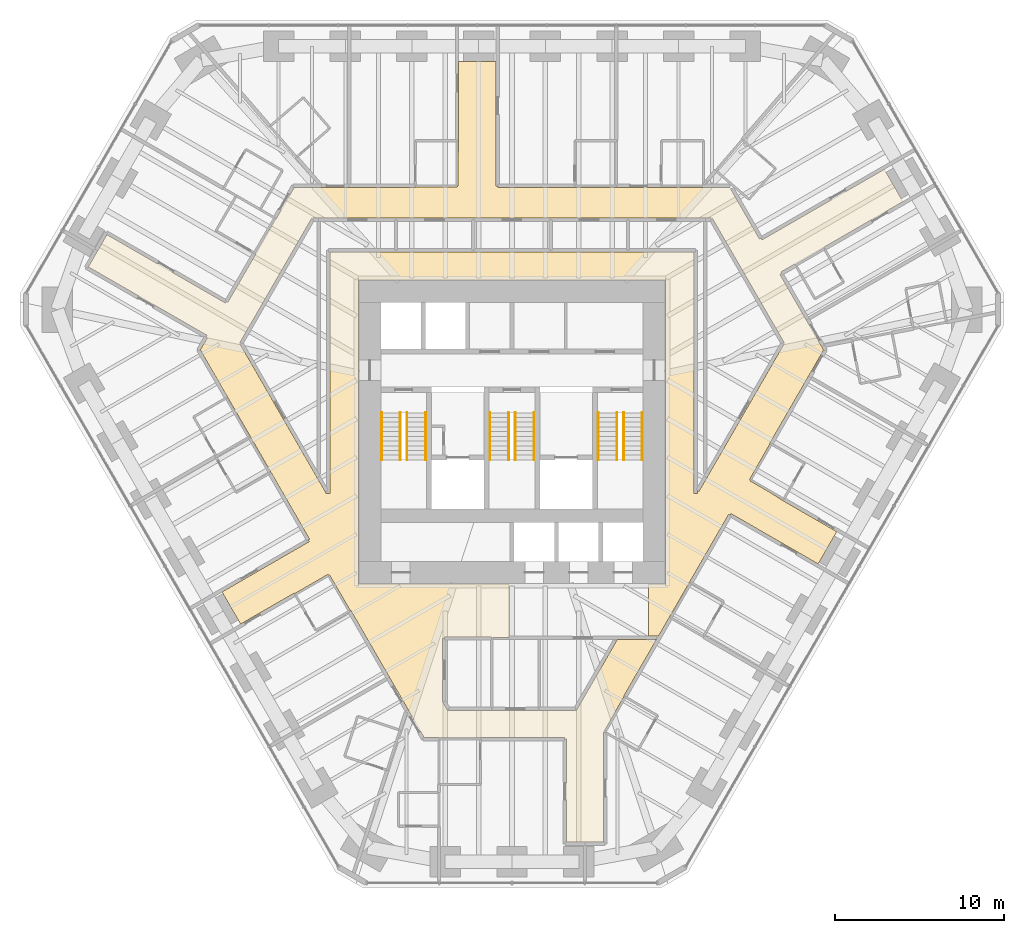
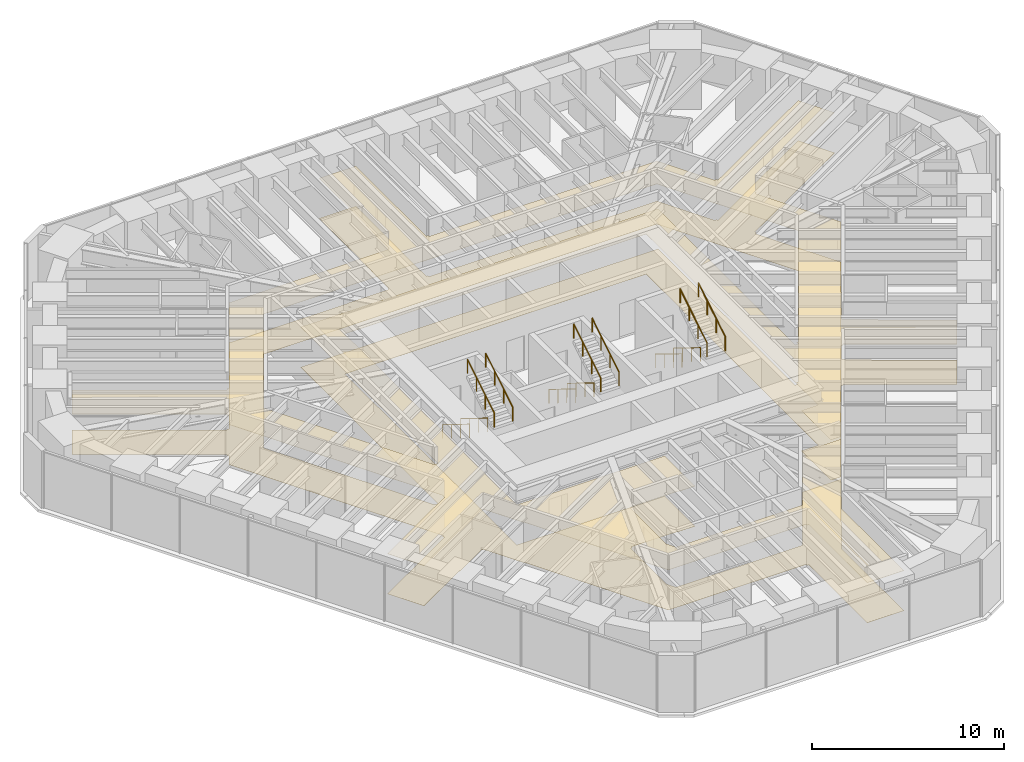
# One storey, part 17 of 17: 12 railings, 2 coverings.
"""IFC4 building model written with IfcOpenShell, lengths in metres."""

from ifc_helpers import new_model, si_unit, direction, frame, origin, origin_2d, place, context, subcontext, project, spatial, polyline, circle, outline, extrude, material, layer, layer_set, type_object, element, save


model = new_model("IFC4")

# Units and contexts
model_context = context("Model", 3, precision=1e-05, world=origin(), true_north=direction((0.0, 1.0)))
body_context = subcontext(model_context, "Body", "Model", "MODEL_VIEW")
ifc_project = project(units=[si_unit("LENGTHUNIT", "METRE"), si_unit("AREAUNIT", "SQUARE_METRE"), si_unit("VOLUMEUNIT", "CUBIC_METRE"), si_unit("PLANEANGLEUNIT", "RADIAN"), si_unit("MASSUNIT", "GRAM", prefix="KILO")], contexts=[model_context])

# Site, building, storey
site_placement = place(None, origin())
site = spatial("IfcSite", under=ifc_project, at=site_placement, CompositionType="ELEMENT")
building_placement = place(site_placement, origin())
building = spatial("IfcBuilding", under=site, at=building_placement, Name="Sandreach Pilgrim Tower", CompositionType="ELEMENT")
storey_placement = place(building_placement, frame((0.0, 0.0, 119.60009765625)))
storey = spatial("IfcBuildingStorey", under=building, at=storey_placement, Name="L29", CompositionType="ELEMENT", Elevation=119.60009765625)

# Coverings
ifc_material_1 = material(Name="Nylon carpet tile on the slab", Category="textile")
ifc_layer_1 = layer(ifc_material_1, 0.008056640625)
ifc_layer_set_1 = layer_set([ifc_layer_1], Name="Carpet tile")
covering_type_1 = type_object("IfcCoveringType", Name="Carpet tile", PredefinedType="FLOORING", material=ifc_layer_set_1)
covering_1_placement = place(storey_placement, origin())
element("IfcCovering", 1, at=covering_1_placement, inside=storey, type_object=covering_type_1, Name="Floor finish 29C Corridor 29", PredefinedType="FLOORING", context=body_context, shape_type="SweptSolid", body=[
    extrude(outline(polyline([(-16.929931640625, 6.073486328125), (-16.869873046875, 6.165771484375), (-16.788330078125, 6.11865234375), (-12.872314453125, 12.889892578125), (-5.699951171875, 12.889892578125), (-5.699951171875, 12.919921875), (-3.25, 12.929931640625), (-3.247802734375, 12.989990234375), (-3.18994140625, 12.989990234375), (-3.18994140625, 14.568115234375), (-3.14990234375, 15.659912109375), (-3.14990234375, 20.333740234375), (-0.949951171875, 20.333740234375), (-0.949951171875, 12.989990234375), (-0.840087890625, 12.989990234375), (-0.840087890625, 12.889892578125), (12.872314453125, 12.889892578125), (14.6259765625, 9.85302734375), (14.711669921875, 9.902587890625), (14.77001953125, 9.803466796875), (21.993408203125, 13.970703125), (23.0947265625, 12.063232421875), (15.8837890625, 7.904541015625), (15.93310546875, 7.8173828125), (15.833251953125, 7.760009765625), (18.412109375, 3.295654296875), (15.2333984375, -2.2099609375), (15.255126953125, -2.22265625), (14.0380859375, -4.349853515625), (14.0888671875, -4.382080078125), (14.06005859375, -4.431884765625), (15.220703125, -5.1015625), (16.00732421875, -5.6015625), (19.1865234375, -7.435791015625), (18.085693359375, -9.342041015625), (12.93994140625, -6.373291015625), (12.885009765625, -6.46875), (12.79833984375, -6.418701171875), (8.65576171875, -13.60009765625), (8.050048828125, -13.60009765625), (8.050048828125, -10.52001953125), (9.070068359375, -10.52001953125), (9.070068359375, 7.419921875), (-9.070068359375, 7.419921875), (-9.070068359375, -10.52001953125), (-0.175048828125, -10.52001953125), (-0.175048828125, -13.68994140625), (-1.199951171875, -13.67919921875), (-1.199951171875, -13.64990234375), (-3.989990234375, -13.64990234375), (-3.989990234375, -13.75), (-4.10009765625, -13.75), (-4.10009765625, -17.487060546875), (-3.8076171875, -17.989990234375), (3.8076171875, -17.989990234375), (6.2265625, -13.800048828125), (8.540283203125, -13.800048828125), (6.603515625, -17.14990234375), (6.62353515625, -17.16162109375), (5.409912109375, -19.2900390625), (5.409912109375, -25.780029296875), (3.2099609375, -25.780029296875), (3.2099609375, -19.68994140625), (3.10009765625, -19.68994140625), (3.10009765625, -19.590087890625), (-5.1923828125, -19.590087890625), (-9.5234375, -12.090087890625), (-9.55029296875, -12.10546875), (-10.7880859375, -9.97998046875), (-10.840576171875, -10.009033203125), (-10.8701171875, -9.9580078125), (-12.840087890625, -11.09814453125), (-12.85986328125, -11.0634765625), (-16.033935546875, -12.89599609375), (-17.130615234375, -10.99658203125), (-11.989990234375, -8.026611328125), (-12.045166015625, -7.92578125), (-11.960693359375, -7.877197265625), (-18.41455078125, 3.30029296875), (-18.0009765625, 4.01708984375), (-18.083251953125, 4.064453125), (-18.030029296875, 4.166748046875), (-25.033447265625, 8.20654296875), (-23.933349609375, 10.113525390625), (-16.929931640625, 6.073486328125)]), holes=[polyline([(-16.095458984375, 3.699951171875), (-10.965576171875, -5.18994140625), (-10.85009765625, -5.19482421875), (-10.75, -5.18994140625), (-10.75, 9.10009765625), (10.75, 9.10009765625), (10.75, -5.18994140625), (10.949951171875, -5.18994140625), (10.949951171875, -4.99365234375), (11.047119140625, -5.050048828125), (16.095458984375, 3.699951171875), (11.82763671875, 11.090087890625), (-11.82763671875, 11.090087890625), (-16.095458984375, 3.699951171875)])]), origin(), (0.0, 0.0, 1.0), 0.0078125),
])
ifc_material_2 = material(Name="Gypsum board suspended ceiling on a steel grid", Category="steel")
ifc_layer_2 = layer(ifc_material_2, 0.012939453125)
ifc_layer_set_2 = layer_set([ifc_layer_2], Name="Gypsum board suspended ceiling")
covering_type_2 = type_object("IfcCoveringType", Name="Gypsum board suspended ceiling", PredefinedType="CEILING", material=ifc_layer_set_2)
covering_2_placement = place(storey_placement, frame((0.0, 0.0, 2.5498046875)))
element("IfcCovering", 2, at=covering_2_placement, inside=storey, type_object=covering_type_2, Name="Ceiling 29C Corridor 29", PredefinedType="CEILING", context=body_context, shape_type="SweptSolid", body=[
    extrude(outline(polyline([(-16.929931640625, 6.073486328125), (-16.869873046875, 6.165771484375), (-16.788330078125, 6.11865234375), (-12.872314453125, 12.889892578125), (-5.699951171875, 12.889892578125), (-5.699951171875, 12.919921875), (-3.25, 12.929931640625), (-3.247802734375, 12.989990234375), (-3.18994140625, 12.989990234375), (-3.18994140625, 14.568115234375), (-3.14990234375, 15.659912109375), (-3.14990234375, 20.333740234375), (-0.949951171875, 20.333740234375), (-0.949951171875, 12.989990234375), (-0.840087890625, 12.989990234375), (-0.840087890625, 12.889892578125), (12.872314453125, 12.889892578125), (14.6259765625, 9.85302734375), (14.711669921875, 9.902587890625), (14.77001953125, 9.803466796875), (21.993408203125, 13.970703125), (23.0947265625, 12.063232421875), (15.8837890625, 7.904541015625), (15.93310546875, 7.8173828125), (15.833251953125, 7.760009765625), (18.412109375, 3.295654296875), (15.2333984375, -2.2099609375), (15.255126953125, -2.22265625), (14.0380859375, -4.349853515625), (14.0888671875, -4.382080078125), (14.06005859375, -4.431884765625), (15.220703125, -5.1015625), (16.00732421875, -5.6015625), (19.1865234375, -7.435791015625), (18.085693359375, -9.342041015625), (12.93994140625, -6.373291015625), (12.885009765625, -6.46875), (12.79833984375, -6.418701171875), (8.65576171875, -13.60009765625), (8.050048828125, -13.60009765625), (8.050048828125, -10.52001953125), (9.070068359375, -10.52001953125), (9.070068359375, 7.419921875), (-9.070068359375, 7.419921875), (-9.070068359375, -10.52001953125), (-0.175048828125, -10.52001953125), (-0.175048828125, -13.68994140625), (-1.199951171875, -13.67919921875), (-1.199951171875, -13.64990234375), (-3.989990234375, -13.64990234375), (-3.989990234375, -13.75), (-4.10009765625, -13.75), (-4.10009765625, -17.487060546875), (-3.8076171875, -17.989990234375), (3.8076171875, -17.989990234375), (6.2265625, -13.800048828125), (8.540283203125, -13.800048828125), (6.603515625, -17.14990234375), (6.62353515625, -17.16162109375), (5.409912109375, -19.2900390625), (5.409912109375, -25.780029296875), (3.2099609375, -25.780029296875), (3.2099609375, -19.68994140625), (3.10009765625, -19.68994140625), (3.10009765625, -19.590087890625), (-5.1923828125, -19.590087890625), (-9.5234375, -12.090087890625), (-9.55029296875, -12.10546875), (-10.7880859375, -9.97998046875), (-10.840576171875, -10.009033203125), (-10.8701171875, -9.9580078125), (-12.840087890625, -11.09814453125), (-12.85986328125, -11.0634765625), (-16.033935546875, -12.89599609375), (-17.130615234375, -10.99658203125), (-11.989990234375, -8.026611328125), (-12.045166015625, -7.92578125), (-11.960693359375, -7.877197265625), (-18.41455078125, 3.30029296875), (-18.0009765625, 4.01708984375), (-18.083251953125, 4.064453125), (-18.030029296875, 4.166748046875), (-25.033447265625, 8.20654296875), (-23.933349609375, 10.113525390625), (-16.929931640625, 6.073486328125)]), holes=[polyline([(-16.095458984375, 3.699951171875), (-10.965576171875, -5.18994140625), (-10.85009765625, -5.19482421875), (-10.75, -5.18994140625), (-10.75, 9.10009765625), (10.75, 9.10009765625), (10.75, -5.18994140625), (10.949951171875, -5.18994140625), (10.949951171875, -4.99365234375), (11.047119140625, -5.050048828125), (16.095458984375, 3.699951171875), (11.82763671875, 11.090087890625), (-11.82763671875, 11.090087890625), (-16.095458984375, 3.699951171875)])]), origin(), (0.0, 0.0, 1.0), 0.01318359375),
])

# Railings
ifc_material_3 = material(Name="Stainless steel tube", Category="steel")
railing_type = type_object("IfcRailingType", Name="Stair handrail", PredefinedType="HANDRAIL", material=ifc_material_3)
for number, where, name in (
    (3, (-6.60009765625, -0.39990234375, 0.172607421875), "Handrail ST1 L29 flight 1"),
    (4, (-7.699951171875, -0.39990234375, 0.172607421875), "Handrail ST1 L29 flight 1"),
):
    element("IfcRailing", number, at=place(storey_placement, frame(where)), inside=storey, type_object=railing_type, Name=name, PredefinedType="HANDRAIL", context=body_context, shape_type="SweptSolid", body=[
        extrude(circle(Radius=0.02392578125, at=origin_2d()), frame((0.0, 0.0, 0.8759765625), z_axis=(0.0, -0.851089632645, 0.525020415988), x_axis=(1.0, 0.0, 0.0)), (0.0, 0.0, 1.0), 3.2900390625),
        extrude(circle(Radius=0.02099609375, at=origin_2d()), origin(), (0.0, 0.0, 1.0), 0.851806640625),
        extrude(circle(Radius=0.02099609375, at=origin_2d()), frame((0.0, -0.933349609375, 0.57568359375)), (0.0, 0.0, 1.0), 0.851806640625),
        extrude(circle(Radius=0.02099609375, at=origin_2d()), frame((0.0, -1.86669921875, 1.151611328125)), (0.0, 0.0, 1.0), 0.851806640625),
        extrude(circle(Radius=0.02099609375, at=origin_2d()), frame((0.0, -2.800048828125, 1.727294921875)), (0.0, 0.0, 1.0), 0.851806640625),
    ])
for number, where, name in (
    (5, (-6.199951171875, -3.199951171875, 2.072509765625), "Handrail ST1 L29 flight 2"),
    (6, (-5.10009765625, -3.199951171875, 2.072509765625), "Handrail ST1 L29 flight 2"),
):
    element("IfcRailing", number, at=place(storey_placement, frame(where)), inside=storey, type_object=railing_type, Name=name, PredefinedType="HANDRAIL", context=body_context, shape_type="SweptSolid", body=[
        extrude(circle(Radius=0.02392578125, at=origin_2d()), frame((0.0, 0.0, 0.8759765625), z_axis=(0.0, 0.851089632645, 0.525020415988), x_axis=(-1.0, 0.0, 0.0)), (0.0, 0.0, 1.0), 3.2900390625),
        extrude(circle(Radius=0.02099609375, at=origin_2d()), origin(), (0.0, 0.0, 1.0), 0.851806640625),
        extrude(circle(Radius=0.02099609375, at=origin_2d()), frame((0.0, 0.933349609375, 0.57568359375)), (0.0, 0.0, 1.0), 0.851806640625),
        extrude(circle(Radius=0.02099609375, at=origin_2d()), frame((0.0, 1.86669921875, 1.151611328125)), (0.0, 0.0, 1.0), 0.851806640625),
        extrude(circle(Radius=0.02099609375, at=origin_2d()), frame((0.0, 2.800048828125, 1.727294921875)), (0.0, 0.0, 1.0), 0.851806640625),
    ])
for number, where, name in (
    (7, (-0.199951171875, -0.39990234375, 0.172607421875), "Handrail ST3 L29 flight 1"),
    (8, (-1.300048828125, -0.39990234375, 0.172607421875), "Handrail ST3 L29 flight 1"),
):
    element("IfcRailing", number, at=place(storey_placement, frame(where)), inside=storey, type_object=railing_type, Name=name, PredefinedType="HANDRAIL", context=body_context, shape_type="SweptSolid", body=[
        extrude(circle(Radius=0.02392578125, at=origin_2d()), frame((0.0, 0.0, 0.8759765625), z_axis=(0.0, -0.851089632645, 0.525020415988), x_axis=(1.0, 0.0, 0.0)), (0.0, 0.0, 1.0), 3.2900390625),
        extrude(circle(Radius=0.02099609375, at=origin_2d()), origin(), (0.0, 0.0, 1.0), 0.851806640625),
        extrude(circle(Radius=0.02099609375, at=origin_2d()), frame((0.0, -0.933349609375, 0.57568359375)), (0.0, 0.0, 1.0), 0.851806640625),
        extrude(circle(Radius=0.02099609375, at=origin_2d()), frame((0.0, -1.86669921875, 1.151611328125)), (0.0, 0.0, 1.0), 0.851806640625),
        extrude(circle(Radius=0.02099609375, at=origin_2d()), frame((0.0, -2.800048828125, 1.727294921875)), (0.0, 0.0, 1.0), 0.851806640625),
    ])
for number, where, name in (
    (9, (0.199951171875, -3.199951171875, 2.072509765625), "Handrail ST3 L29 flight 2"),
    (10, (1.300048828125, -3.199951171875, 2.072509765625), "Handrail ST3 L29 flight 2"),
):
    element("IfcRailing", number, at=place(storey_placement, frame(where)), inside=storey, type_object=railing_type, Name=name, PredefinedType="HANDRAIL", context=body_context, shape_type="SweptSolid", body=[
        extrude(circle(Radius=0.02392578125, at=origin_2d()), frame((0.0, 0.0, 0.8759765625), z_axis=(0.0, 0.851089632645, 0.525020415988), x_axis=(-1.0, 0.0, 0.0)), (0.0, 0.0, 1.0), 3.2900390625),
        extrude(circle(Radius=0.02099609375, at=origin_2d()), origin(), (0.0, 0.0, 1.0), 0.851806640625),
        extrude(circle(Radius=0.02099609375, at=origin_2d()), frame((0.0, 0.933349609375, 0.57568359375)), (0.0, 0.0, 1.0), 0.851806640625),
        extrude(circle(Radius=0.02099609375, at=origin_2d()), frame((0.0, 1.86669921875, 1.151611328125)), (0.0, 0.0, 1.0), 0.851806640625),
        extrude(circle(Radius=0.02099609375, at=origin_2d()), frame((0.0, 2.800048828125, 1.727294921875)), (0.0, 0.0, 1.0), 0.851806640625),
    ])
for number, where, name in (
    (11, (6.199951171875, -0.39990234375, 0.172607421875), "Handrail ST2 L29 flight 1"),
    (12, (5.10009765625, -0.39990234375, 0.172607421875), "Handrail ST2 L29 flight 1"),
):
    element("IfcRailing", number, at=place(storey_placement, frame(where)), inside=storey, type_object=railing_type, Name=name, PredefinedType="HANDRAIL", context=body_context, shape_type="SweptSolid", body=[
        extrude(circle(Radius=0.02392578125, at=origin_2d()), frame((0.0, 0.0, 0.8759765625), z_axis=(0.0, -0.851089632645, 0.525020415988), x_axis=(1.0, 0.0, 0.0)), (0.0, 0.0, 1.0), 3.2900390625),
        extrude(circle(Radius=0.02099609375, at=origin_2d()), origin(), (0.0, 0.0, 1.0), 0.851806640625),
        extrude(circle(Radius=0.02099609375, at=origin_2d()), frame((0.0, -0.933349609375, 0.57568359375)), (0.0, 0.0, 1.0), 0.851806640625),
        extrude(circle(Radius=0.02099609375, at=origin_2d()), frame((0.0, -1.86669921875, 1.151611328125)), (0.0, 0.0, 1.0), 0.851806640625),
        extrude(circle(Radius=0.02099609375, at=origin_2d()), frame((0.0, -2.800048828125, 1.727294921875)), (0.0, 0.0, 1.0), 0.851806640625),
    ])
for number, where, name in (
    (13, (6.60009765625, -3.199951171875, 2.072509765625), "Handrail ST2 L29 flight 2"),
    (14, (7.699951171875, -3.199951171875, 2.072509765625), "Handrail ST2 L29 flight 2"),
):
    element("IfcRailing", number, at=place(storey_placement, frame(where)), inside=storey, type_object=railing_type, Name=name, PredefinedType="HANDRAIL", context=body_context, shape_type="SweptSolid", body=[
        extrude(circle(Radius=0.02392578125, at=origin_2d()), frame((0.0, 0.0, 0.8759765625), z_axis=(0.0, 0.851089632645, 0.525020415988), x_axis=(-1.0, 0.0, 0.0)), (0.0, 0.0, 1.0), 3.2900390625),
        extrude(circle(Radius=0.02099609375, at=origin_2d()), origin(), (0.0, 0.0, 1.0), 0.851806640625),
        extrude(circle(Radius=0.02099609375, at=origin_2d()), frame((0.0, 0.933349609375, 0.57568359375)), (0.0, 0.0, 1.0), 0.851806640625),
        extrude(circle(Radius=0.02099609375, at=origin_2d()), frame((0.0, 1.86669921875, 1.151611328125)), (0.0, 0.0, 1.0), 0.851806640625),
        extrude(circle(Radius=0.02099609375, at=origin_2d()), frame((0.0, 2.800048828125, 1.727294921875)), (0.0, 0.0, 1.0), 0.851806640625),
    ])

save(model, "model.ifc")
